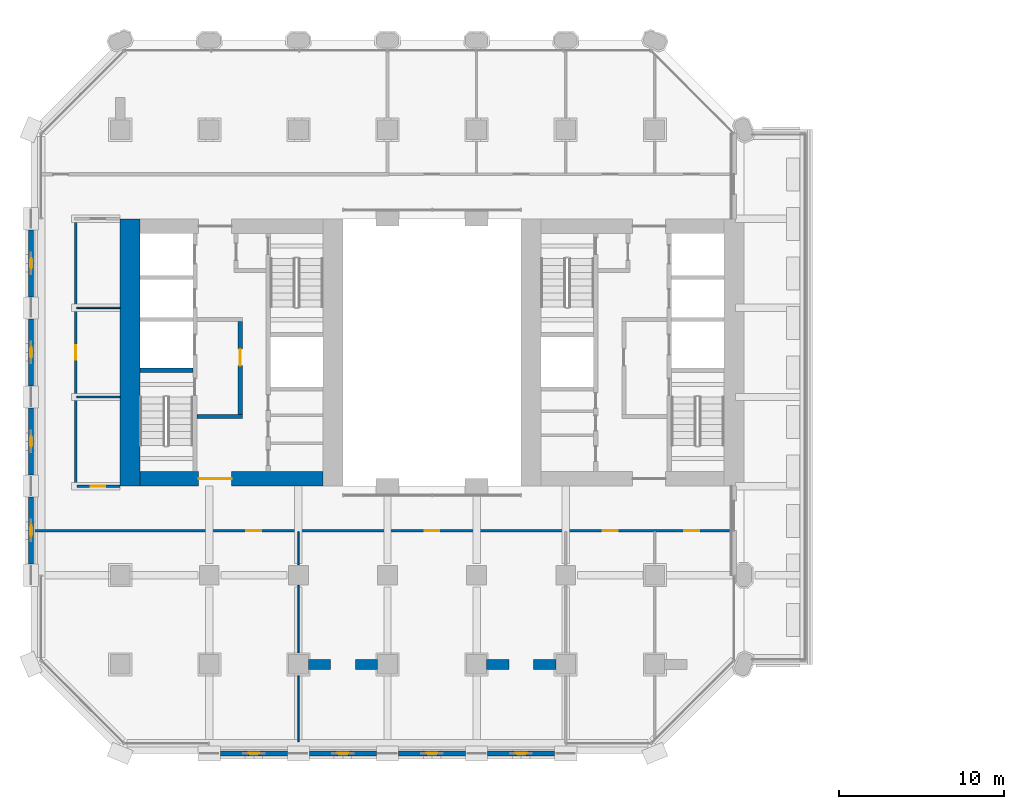
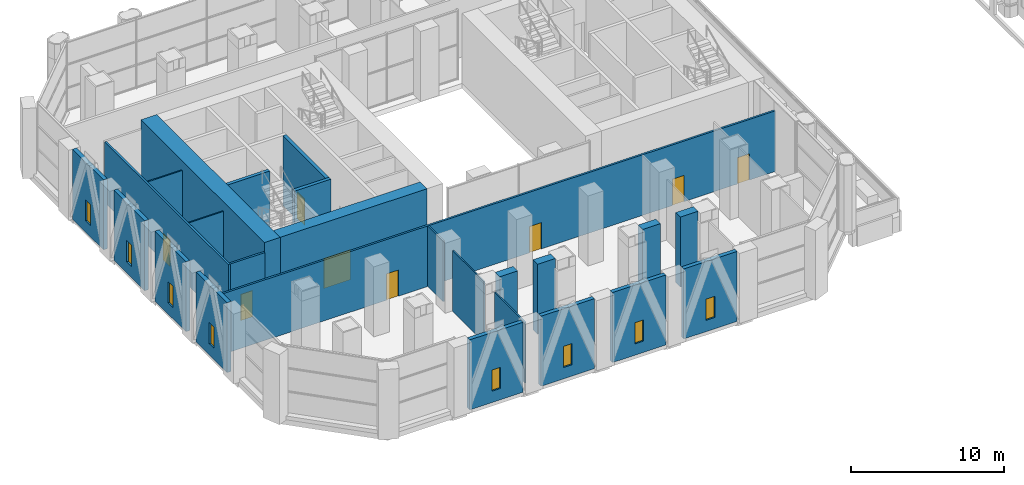
# One storey, part 12 of 34: 25 walls, 8 doors, 8 windows, 16 openings.
"""IFC4 building model written with IfcOpenShell, lengths in metres."""

from ifc_helpers import new_model, si_unit, direction, frame, frame_2d, origin, place, context, subcontext, project, spatial, rectangle, extrude, material, layer, layer_set, type_object, element, fill, save


model = new_model("IFC4")

# Units and contexts
model_context = context("Model", 3, precision=1e-05, world=origin(), true_north=direction((0.0, 1.0)))
body_context = subcontext(model_context, "Body", "Model", "MODEL_VIEW")
ifc_project = project(units=[si_unit("LENGTHUNIT", "METRE"), si_unit("AREAUNIT", "SQUARE_METRE"), si_unit("VOLUMEUNIT", "CUBIC_METRE"), si_unit("PLANEANGLEUNIT", "RADIAN"), si_unit("MASSUNIT", "GRAM", prefix="KILO")], contexts=[model_context])

# Site, building, storey
site_placement = place(None, origin())
site = spatial("IfcSite", under=ifc_project, at=site_placement, CompositionType="ELEMENT")
building_placement = place(site_placement, origin())
building = spatial("IfcBuilding", under=site, at=building_placement, Name="Tabaq Tower and Sports Hall", CompositionType="ELEMENT")
storey_placement = place(building_placement, frame((0.0, 0.0, 8.39990234375)))
storey = spatial("IfcBuildingStorey", under=building, at=storey_placement, Name="L01", CompositionType="ELEMENT", Elevation=8.39990234375)

# Wall
ifc_material_1 = material(Name="Concrete C60/75", Category="concrete")
ifc_layer_1 = layer(ifc_material_1, 1.199951171875)
ifc_layer_set_1 = layer_set([ifc_layer_1], Name="Core wall 1200 Concrete C60/75")
wall_type_1 = type_object("IfcWallType", Name="Core wall 1200 Concrete C60/75", PredefinedType="SOLIDWALL", material=ifc_layer_set_1)
wall_1_placement = place(storey_placement, frame((6.0, 16.199951171875, 0.0), z_axis=(0.0, 0.0, 1.0), x_axis=(0.0, 1.0, 0.0)))
element("IfcWall", 1, at=wall_1_placement, inside=storey, type_object=wall_type_1, Name="Core wall W L01", PredefinedType="SOLIDWALL", context=body_context, shape_type="SweptSolid", body=[
    extrude(rectangle(XDim=16.199951171875, YDim=1.199951171875, at=frame_2d((8.10009765625, 0.0))), origin(), (0.0, 0.0, 1.0), 5.60009765625),
])

# Wall, opening, door
ifc_material_2 = material(Name="Concrete C60/75", Category="concrete")
ifc_layer_2 = layer(ifc_material_2, 0.89990234375)
ifc_layer_set_2 = layer_set([ifc_layer_2], Name="Core wall 900 Concrete C60/75")
wall_type_2 = type_object("IfcWallType", Name="Core wall 900 Concrete C60/75", PredefinedType="SOLIDWALL", material=ifc_layer_set_2)
wall_2_placement = place(storey_placement, frame((17.699951171875, 16.64990234375, 0.0), z_axis=(0.0, 0.0, 1.0), x_axis=(-1.0, 0.0, 0.0)))
wall_2 = element("IfcWall", 2, at=wall_2_placement, inside=storey, type_object=wall_type_2, Name="Core wall W L01", PredefinedType="SOLIDWALL", context=body_context, shape_type="SweptSolid", body=[
    extrude(rectangle(XDim=11.099853515625, YDim=0.89990234375, at=frame_2d((5.5498046875, 0.0))), origin(), (0.0, 0.0, 1.0), 5.60009765625),
])
opening_1_placement = place(wall_2_placement, frame((5.550048828125, 0.0, 0.0)))
opening_1 = element("IfcOpeningElement", 3, at=opening_1_placement, cuts=wall_2, Name="Opening PD-WL01-01", PredefinedType="OPENING", context=body_context, shape_type="SweptSolid", body=[
    extrude(rectangle(XDim=2.0, YDim=2.39990234375, at=frame_2d((1.0, 1.199951171875))), frame((0.0, 0.449951171875, 0.0), z_axis=(0.0, -1.0, 0.0), x_axis=(1.0, 0.0, 0.0)), (0.0, 0.0, 1.0), 0.89990234375),
])
ifc_material_3 = material(Name="Steel fire door", Category="steel")
door_type_1 = type_object("IfcDoorType", Name="Core entrance door 2000", OperationType="DOUBLE_DOOR_SINGLE_SWING", PredefinedType="DOOR", material=ifc_material_3)
door_1_placement = place(opening_1_placement, origin())
door_1 = element("IfcDoor", 4, at=door_1_placement, inside=storey, type_object=door_type_1, Name="Core entrance south W L01", OperationType="DOUBLE_DOOR_SINGLE_SWING", OverallHeight=2.39990234375, OverallWidth=2.0, PredefinedType="DOOR", context=body_context, shape_type="SweptSolid", body=[
    extrude(rectangle(XDim=2.0, YDim=2.39990234375, at=frame_2d((1.0, 1.199951171875))), frame((0.0, 0.02490234375, 0.0), z_axis=(0.0, -1.0, 0.0), x_axis=(1.0, 0.0, 0.0)), (0.0, 0.0, 1.0), 0.050048828125),
])
fill(opening_1, door_1)

# Walls
ifc_material_4 = material(Name="Gypsum board on steel studs", Category="steel")
ifc_layer_3 = layer(ifc_material_4, 0.10009765625)
ifc_layer_set_3 = layer_set([ifc_layer_3], Name="Partition 100 Gypsum board")
wall_type_3 = type_object("IfcWallType", Name="Partition 100 Gypsum board", PredefinedType="PARTITIONING", material=ifc_layer_set_3)
wall_3_placement = place(storey_placement, frame((16.199951171875, 13.425048828125, 0.0), z_axis=(0.0, 0.0, 1.0), x_axis=(0.0, -1.0, 0.0)))
element("IfcWall", 5, at=wall_3_placement, inside=storey, type_object=wall_type_3, Name="Partition wall L01", PredefinedType="PARTITIONING", context=body_context, shape_type="SweptSolid", body=[
    extrude(rectangle(XDim=2.005126953125, YDim=0.10009765625, at=frame_2d((1.00244140625, 0.0))), origin(), (0.0, 0.0, 1.0), 4.85009765625),
])
wall_4_placement = place(storey_placement, frame((16.199951171875, 10.179931640625, 0.0), z_axis=(0.0, 0.0, 1.0), x_axis=(0.0, -1.0, 0.0)))
element("IfcWall", 6, at=wall_4_placement, inside=storey, type_object=wall_type_3, Name="Partition wall L01", PredefinedType="PARTITIONING", context=body_context, shape_type="SweptSolid", body=[
    extrude(rectangle(XDim=4.079345703125, YDim=0.10009765625, at=frame_2d((2.03955078125, 0.0))), origin(), (0.0, 0.0, 1.0), 4.85009765625),
])
wall_5_placement = place(storey_placement, frame((16.199951171875, 4.69921875, 0.0), z_axis=(0.0, 0.0, 1.0), x_axis=(0.0, -1.0, 0.0)))
element("IfcWall", 7, at=wall_5_placement, inside=storey, type_object=wall_type_3, Name="Partition wall L01", PredefinedType="PARTITIONING", context=body_context, shape_type="SweptSolid", body=[
    extrude(rectangle(XDim=3.999267578125, YDim=0.10009765625, at=frame_2d((1.99951171875, 0.0))), origin(), (0.0, 0.0, 1.0), 4.85009765625),
])
for number, where, z_axis, x_axis, name in (
    (8, (5.39990234375, 21.60009765625, 0.0), (0.0, 0.0, 1.0), (-1.0, 0.0, 0.0), "Partition wall L01"),
    (9, (5.39990234375, 27.0, 0.0), (0.0, 0.0, 1.0), (-1.0, 0.0, 0.0), "Partition wall L01"),
):
    element("IfcWall", number, at=place(storey_placement, frame(where, z_axis=z_axis, x_axis=x_axis)), inside=storey, type_object=wall_type_3, Name=name, PredefinedType="PARTITIONING", context=body_context, shape_type="SweptSolid", body=[
        extrude(rectangle(XDim=2.625, YDim=0.10009765625, at=frame_2d((1.3125, 0.0))), origin(), (0.0, 0.0, 1.0), 4.85009765625),
    ])
ifc_material_5 = material(Name="Concrete C60/75", Category="concrete")
ifc_layer_4 = layer(ifc_material_5, 0.60009765625)
ifc_layer_set_4 = layer_set([ifc_layer_4], Name="RC TRANSFER WALL 600 C60/75")
wall_type_4 = type_object("IfcWallType", Name="RC TRANSFER WALL 600 C60/75", PredefinedType="SHEAR", material=ifc_layer_set_4)
wall_6_placement = place(storey_placement, frame((16.800048828125, 5.39990234375, 0.0), z_axis=(0.0, 0.0, 1.0), x_axis=(1.0, 0.0, 0.0)))
element("IfcWall", 10, at=wall_6_placement, inside=storey, type_object=wall_type_4, Name="Transfer Wall L01 South 3", PredefinedType="SHEAR", context=body_context, shape_type="SweptSolid", body=[
    extrude(rectangle(XDim=1.349853515625, YDim=0.60009765625, at=frame_2d((0.6748046875, 0.0))), origin(), (0.0, 0.0, 1.0), 5.60009765625),
])
wall_7_placement = place(storey_placement, frame((19.64990234375, 5.39990234375, 0.0), z_axis=(0.0, 0.0, 1.0), x_axis=(1.0, 0.0, 0.0)))
element("IfcWall", 11, at=wall_7_placement, inside=storey, type_object=wall_type_4, Name="Transfer Wall L01 South 4", PredefinedType="SHEAR", context=body_context, shape_type="SweptSolid", body=[
    extrude(rectangle(XDim=1.35009765625, YDim=0.60009765625, at=frame_2d((0.675048828125, 0.0))), origin(), (0.0, 0.0, 1.0), 5.60009765625),
])
wall_8_placement = place(storey_placement, frame((27.60009765625, 5.39990234375, 0.0), z_axis=(0.0, 0.0, 1.0), x_axis=(1.0, 0.0, 0.0)))
element("IfcWall", 12, at=wall_8_placement, inside=storey, type_object=wall_type_4, Name="Transfer Wall L01 South 5", PredefinedType="SHEAR", context=body_context, shape_type="SweptSolid", body=[
    extrude(rectangle(XDim=1.349853515625, YDim=0.60009765625, at=frame_2d((0.6748046875, 0.0))), origin(), (0.0, 0.0, 1.0), 5.60009765625),
])
wall_9_placement = place(storey_placement, frame((30.449951171875, 5.39990234375, 0.0), z_axis=(0.0, 0.0, 1.0), x_axis=(1.0, 0.0, 0.0)))
element("IfcWall", 13, at=wall_9_placement, inside=storey, type_object=wall_type_4, Name="Transfer Wall L01 South 6", PredefinedType="SHEAR", context=body_context, shape_type="SweptSolid", body=[
    extrude(rectangle(XDim=1.35009765625, YDim=0.60009765625, at=frame_2d((0.675048828125, 0.0))), origin(), (0.0, 0.0, 1.0), 5.60009765625),
])

# Wall, opening, door
ifc_material_6 = material(Name="Blockwork", Category="masonry")
ifc_layer_5 = layer(ifc_material_6, 0.14990234375)
ifc_layer_set_5 = layer_set([ifc_layer_5], Name="Separating wall 150 Blockwork")
wall_type_5 = type_object("IfcWallType", Name="Separating wall 150 Blockwork", PredefinedType="PARTITIONING", material=ifc_layer_set_5)
wall_10_placement = place(storey_placement, frame((2.699951171875, 32.324951171875, 0.0), z_axis=(0.0, 0.0, 1.0), x_axis=(0.0, -1.0, 0.0)))
wall_10 = element("IfcWall", 14, at=wall_10_placement, inside=storey, type_object=wall_type_5, Name="Separating wall L01", PredefinedType="PARTITIONING", context=body_context, shape_type="SweptSolid", body=[
    extrude(rectangle(XDim=16.199951171875, YDim=0.14990234375, at=frame_2d((8.10009765625, 0.0))), origin(), (0.0, 0.0, 1.0), 4.85009765625),
])
opening_2_placement = place(wall_10_placement, frame((7.574951171875, 0.0, 0.0)))
opening_2 = element("IfcOpeningElement", 15, at=opening_2_placement, cuts=wall_10, Name="Opening L01-011", PredefinedType="OPENING", context=body_context, shape_type="SweptSolid", body=[
    extrude(rectangle(XDim=0.89990234375, YDim=2.10009765625, at=frame_2d((0.449951171875, 1.050048828125))), frame((0.0, 0.074951171875, 0.0), z_axis=(0.0, -1.0, 0.0), x_axis=(1.0, 0.0, 0.0)), (0.0, 0.0, 1.0), 0.14990234375),
])
ifc_material_7 = material(Name="Timber leaf in steel frame", Category="steel")
door_type_2 = type_object("IfcDoorType", Name="Internal door 900 right hand", OperationType="SINGLE_SWING_RIGHT", PredefinedType="DOOR", material=ifc_material_7)
door_2_placement = place(opening_2_placement, origin())
door_2 = element("IfcDoor", 16, at=door_2_placement, inside=storey, type_object=door_type_2, Name="Internal door L01-011", OperationType="SINGLE_SWING_RIGHT", OverallHeight=2.10009765625, OverallWidth=0.89990234375, PredefinedType="DOOR", context=body_context, shape_type="SweptSolid", body=[
    extrude(rectangle(XDim=0.89990234375, YDim=2.10009765625, at=frame_2d((0.449951171875, 1.050048828125))), frame((0.0, 0.02490234375, 0.0), z_axis=(0.0, -1.0, 0.0), x_axis=(1.0, 0.0, 0.0)), (0.0, 0.0, 1.0), 0.050048828125),
])
fill(opening_2, door_2)

wall_11_placement = place(storey_placement, frame((2.77490234375, 16.199951171875, 0.0), z_axis=(0.0, 0.0, 1.0), x_axis=(1.0, 0.0, 0.0)))
wall_11 = element("IfcWall", 17, at=wall_11_placement, inside=storey, type_object=wall_type_5, Name="Separating wall L01", PredefinedType="PARTITIONING", context=body_context, shape_type="SweptSolid", body=[
    extrude(rectangle(XDim=2.625, YDim=0.14990234375, at=frame_2d((1.3125, 0.0))), origin(), (0.0, 0.0, 1.0), 4.85009765625),
])
opening_3_placement = place(wall_11_placement, frame((0.824951171875, 0.0, 0.0)))
opening_3 = element("IfcOpeningElement", 18, at=opening_3_placement, cuts=wall_11, Name="Opening L01-010", PredefinedType="OPENING", context=body_context, shape_type="SweptSolid", body=[
    extrude(rectangle(XDim=0.89990234375, YDim=2.10009765625, at=frame_2d((0.449951171875, 1.050048828125))), frame((0.0, 0.074951171875, 0.0), z_axis=(0.0, -1.0, 0.0), x_axis=(1.0, 0.0, 0.0)), (0.0, 0.0, 1.0), 0.14990234375),
])
door_3_placement = place(opening_3_placement, origin())
door_3 = element("IfcDoor", 19, at=door_3_placement, inside=storey, type_object=door_type_2, Name="Internal door L01-010", OperationType="SINGLE_SWING_RIGHT", OverallHeight=2.10009765625, OverallWidth=0.89990234375, PredefinedType="DOOR", context=body_context, shape_type="SweptSolid", body=[
    extrude(rectangle(XDim=0.89990234375, YDim=2.10009765625, at=frame_2d((0.449951171875, 1.050048828125))), frame((0.0, 0.02490234375, 0.0), z_axis=(0.0, -1.0, 0.0), x_axis=(1.0, 0.0, 0.0)), (0.0, 0.0, 1.0), 0.050048828125),
])
fill(opening_3, door_3)

# Wall, openings, doors
wall_12_placement = place(storey_placement, frame((42.448974609375, 13.5, 0.0), z_axis=(0.0, 0.0, 1.0), x_axis=(-1.0, 0.0, 0.0)))
wall_12 = element("IfcWall", 20, at=wall_12_placement, inside=storey, type_object=wall_type_5, Name="Separating wall L01", PredefinedType="PARTITIONING", context=body_context, shape_type="SweptSolid", body=[
    extrude(rectangle(XDim=42.299072265625, YDim=0.14990234375, at=frame_2d((21.1494140625, 0.0))), origin(), (0.0, 0.0, 1.0), 4.85009765625),
])
opening_4_placement = place(wall_12_placement, frame((28.4990234375, 0.0, 0.0)))
opening_4 = element("IfcOpeningElement", 21, at=opening_4_placement, cuts=wall_12, Name="Opening L01-006", PredefinedType="OPENING", context=body_context, shape_type="SweptSolid", body=[
    extrude(rectangle(XDim=0.89990234375, YDim=2.10009765625, at=frame_2d((0.449951171875, 1.050048828125))), frame((0.0, 0.074951171875, 0.0), z_axis=(0.0, -1.0, 0.0), x_axis=(1.0, 0.0, 0.0)), (0.0, 0.0, 1.0), 0.14990234375),
])
opening_5_placement = place(wall_12_placement, frame((17.698974609375, 0.0, 0.0)))
opening_5 = element("IfcOpeningElement", 22, at=opening_5_placement, cuts=wall_12, Name="Opening L01-007", PredefinedType="OPENING", context=body_context, shape_type="SweptSolid", body=[
    extrude(rectangle(XDim=0.89990234375, YDim=2.10009765625, at=frame_2d((0.449951171875, 1.050048828125))), frame((0.0, 0.074951171875, 0.0), z_axis=(0.0, -1.0, 0.0), x_axis=(1.0, 0.0, 0.0)), (0.0, 0.0, 1.0), 0.14990234375),
])
opening_6_placement = place(wall_12_placement, frame((6.89892578125, 0.0, 0.0)))
opening_6 = element("IfcOpeningElement", 23, at=opening_6_placement, cuts=wall_12, Name="Opening L01-008", PredefinedType="OPENING", context=body_context, shape_type="SweptSolid", body=[
    extrude(rectangle(XDim=0.89990234375, YDim=2.10009765625, at=frame_2d((0.449951171875, 1.050048828125))), frame((0.0, 0.074951171875, 0.0), z_axis=(0.0, -1.0, 0.0), x_axis=(1.0, 0.0, 0.0)), (0.0, 0.0, 1.0), 0.14990234375),
])
opening_7_placement = place(wall_12_placement, frame((1.948974609375, 0.0, 0.0)))
opening_7 = element("IfcOpeningElement", 24, at=opening_7_placement, cuts=wall_12, Name="Opening L01-009", PredefinedType="OPENING", context=body_context, shape_type="SweptSolid", body=[
    extrude(rectangle(XDim=0.89990234375, YDim=2.10009765625, at=frame_2d((0.449951171875, 1.050048828125))), frame((0.0, 0.074951171875, 0.0), z_axis=(0.0, -1.0, 0.0), x_axis=(1.0, 0.0, 0.0)), (0.0, 0.0, 1.0), 0.14990234375),
])
ifc_material_8 = material(Name="Timber leaf in steel frame", Category="steel")
door_type_3 = type_object("IfcDoorType", Name="Internal door 900 left hand", OperationType="SINGLE_SWING_LEFT", PredefinedType="DOOR", material=ifc_material_8)
door_4_placement = place(opening_7_placement, origin())
door_4 = element("IfcDoor", 25, at=door_4_placement, inside=storey, type_object=door_type_3, Name="Internal door L01-009", OperationType="SINGLE_SWING_LEFT", OverallHeight=2.10009765625, OverallWidth=0.89990234375, PredefinedType="DOOR", context=body_context, shape_type="SweptSolid", body=[
    extrude(rectangle(XDim=0.89990234375, YDim=2.10009765625, at=frame_2d((0.449951171875, 1.050048828125))), frame((0.0, 0.02490234375, 0.0), z_axis=(0.0, -1.0, 0.0), x_axis=(1.0, 0.0, 0.0)), (0.0, 0.0, 1.0), 0.050048828125),
])
fill(opening_7, door_4)
door_5_placement = place(opening_4_placement, origin())
door_5 = element("IfcDoor", 26, at=door_5_placement, inside=storey, type_object=door_type_2, Name="Internal door L01-006", OperationType="SINGLE_SWING_RIGHT", OverallHeight=2.10009765625, OverallWidth=0.89990234375, PredefinedType="DOOR", context=body_context, shape_type="SweptSolid", body=[
    extrude(rectangle(XDim=0.89990234375, YDim=2.10009765625, at=frame_2d((0.449951171875, 1.050048828125))), frame((0.0, 0.02490234375, 0.0), z_axis=(0.0, -1.0, 0.0), x_axis=(1.0, 0.0, 0.0)), (0.0, 0.0, 1.0), 0.050048828125),
])
fill(opening_4, door_5)
door_6_placement = place(opening_5_placement, origin())
door_6 = element("IfcDoor", 27, at=door_6_placement, inside=storey, type_object=door_type_2, Name="Internal door L01-007", OperationType="SINGLE_SWING_RIGHT", OverallHeight=2.10009765625, OverallWidth=0.89990234375, PredefinedType="DOOR", context=body_context, shape_type="SweptSolid", body=[
    extrude(rectangle(XDim=0.89990234375, YDim=2.10009765625, at=frame_2d((0.449951171875, 1.050048828125))), frame((0.0, 0.02490234375, 0.0), z_axis=(0.0, -1.0, 0.0), x_axis=(1.0, 0.0, 0.0)), (0.0, 0.0, 1.0), 0.050048828125),
])
fill(opening_5, door_6)
door_7_placement = place(opening_6_placement, origin())
door_7 = element("IfcDoor", 28, at=door_7_placement, inside=storey, type_object=door_type_2, Name="Internal door L01-008", OperationType="SINGLE_SWING_RIGHT", OverallHeight=2.10009765625, OverallWidth=0.89990234375, PredefinedType="DOOR", context=body_context, shape_type="SweptSolid", body=[
    extrude(rectangle(XDim=0.89990234375, YDim=2.10009765625, at=frame_2d((0.449951171875, 1.050048828125))), frame((0.0, 0.02490234375, 0.0), z_axis=(0.0, -1.0, 0.0), x_axis=(1.0, 0.0, 0.0)), (0.0, 0.0, 1.0), 0.050048828125),
])
fill(opening_6, door_7)

# Walls
ifc_material_9 = material(Name="Concrete C40/50", Category="concrete")
ifc_layer_6 = layer(ifc_material_9, 0.25)
ifc_layer_set_6 = layer_set([ifc_layer_6], Name="Shaft and stair wall 250 Concrete C40/50")
wall_type_6 = type_object("IfcWallType", Name="Shaft and stair wall 250 Concrete C40/50", PredefinedType="SOLIDWALL", material=ifc_layer_set_6)
wall_13_placement = place(storey_placement, frame((6.60009765625, 23.22509765625, 0.0), z_axis=(0.0, 0.0, 1.0), x_axis=(1.0, 0.0, 0.0)))
element("IfcWall", 29, at=wall_13_placement, inside=storey, type_object=wall_type_6, Name="Stair enclosure wall W L01", PredefinedType="SOLIDWALL", context=body_context, shape_type="SweptSolid", body=[
    extrude(rectangle(XDim=3.199951171875, YDim=0.25, at=frame_2d((1.60009765625, 0.0))), origin(), (0.0, 0.0, 1.0), 5.60009765625),
])
wall_14_placement = place(storey_placement, frame((10.050048828125, 20.425048828125, 0.0), z_axis=(0.0, 0.0, 1.0), x_axis=(1.0, 0.0, 0.0)))
element("IfcWall", 30, at=wall_14_placement, inside=storey, type_object=wall_type_6, Name="Fire-fighting lobby wall W L01", PredefinedType="SOLIDWALL", context=body_context, shape_type="SweptSolid", body=[
    extrude(rectangle(XDim=2.75, YDim=0.25, at=frame_2d((1.375, 0.0))), origin(), (0.0, 0.0, 1.0), 5.60009765625),
])

# Wall, opening, door
wall_15_placement = place(storey_placement, frame((12.675048828125, 20.550048828125, 0.0), z_axis=(0.0, 0.0, 1.0), x_axis=(0.0, 1.0, 0.0)))
wall_15 = element("IfcWall", 31, at=wall_15_placement, inside=storey, type_object=wall_type_6, Name="Fire-fighting lobby wall W L01", PredefinedType="SOLIDWALL", context=body_context, shape_type="SweptSolid", body=[
    extrude(rectangle(XDim=5.625, YDim=0.25, at=frame_2d((2.8125, 0.0))), origin(), (0.0, 0.0, 1.0), 5.60009765625),
])
opening_8_placement = place(wall_15_placement, frame((2.949951171875, 0.0, 0.0)))
opening_8 = element("IfcOpeningElement", 32, at=opening_8_placement, cuts=wall_15, Name="Opening FD-WL01-04", PredefinedType="OPENING", context=body_context, shape_type="SweptSolid", body=[
    extrude(rectangle(XDim=1.0, YDim=2.10009765625, at=frame_2d((0.5, 1.050048828125))), frame((0.0, 0.125, 0.0), z_axis=(0.0, -1.0, 0.0), x_axis=(1.0, 0.0, 0.0)), (0.0, 0.0, 1.0), 0.25),
])
ifc_material_10 = material(Name="Steel fire door", Category="steel")
door_type_4 = type_object("IfcDoorType", Name="Fire-fighting lobby door 1000", OperationType="SINGLE_SWING_LEFT", PredefinedType="DOOR", material=ifc_material_10)
door_8_placement = place(opening_8_placement, origin())
door_8 = element("IfcDoor", 33, at=door_8_placement, inside=storey, type_object=door_type_4, Name="Fire-fighting lobby door W L01", OperationType="SINGLE_SWING_LEFT", OverallHeight=2.10009765625, OverallWidth=1.0, PredefinedType="DOOR", context=body_context, shape_type="SweptSolid", body=[
    extrude(rectangle(XDim=1.0, YDim=2.10009765625, at=frame_2d((0.5, 1.050048828125))), frame((0.0, 0.02490234375, 0.0), z_axis=(0.0, -1.0, 0.0), x_axis=(1.0, 0.0, 0.0)), (0.0, 0.0, 1.0), 0.050048828125),
])
fill(opening_8, door_8)

# Wall, opening, window
ifc_material_11 = material(Name="White precast concrete C60/75", Category="concrete")
ifc_layer_7 = layer(ifc_material_11, 0.300048828125)
ifc_layer_set_7 = layer_set([ifc_layer_7], Name="White precast concrete C60/75 external wall 300")
wall_type_7 = type_object("IfcWallType", Name="White precast concrete C60/75 external wall 300", PredefinedType="SOLIDWALL", material=ifc_layer_set_7)
wall_16_placement = place(storey_placement, frame((11.47509765625, 0.0, 0.0), z_axis=(0.0, 0.0, 1.0), x_axis=(1.0, 0.0, 0.0)))
wall_16 = element("IfcWall", 34, at=wall_16_placement, inside=storey, type_object=wall_type_7, Name="External Wall L01 S", PredefinedType="SOLIDWALL", context=body_context, shape_type="SweptSolid", body=[
    extrude(rectangle(XDim=4.0498046875, YDim=0.300048828125, at=frame_2d((2.02490234375, 0.0))), origin(), (0.0, 0.0, 1.0), 5.60009765625),
])
opening_9_placement = place(wall_16_placement, frame((1.699951171875, 0.0, 0.89990234375)))
opening_9 = element("IfcOpeningElement", 35, at=opening_9_placement, cuts=wall_16, Name="Opening W1C", PredefinedType="OPENING", context=body_context, shape_type="SweptSolid", body=[
    extrude(rectangle(XDim=0.64990234375, YDim=1.699951171875, at=frame_2d((0.324951171875, 0.85009765625))), frame((0.0, 0.16015625, 0.0), z_axis=(0.0, -1.0, 0.0), x_axis=(1.0, 0.0, 0.0)), (0.0, 0.0, 1.0), 0.320068359375),
])
ifc_material_12 = material(Name="Aluminium framed clear glazing", Category="aluminium")
window_type = type_object("IfcWindowType", Name="Window W1C", PartitioningType="SINGLE_PANEL", PredefinedType="WINDOW", material=ifc_material_12)
window_1_placement = place(opening_9_placement, origin())
window_1 = element("IfcWindow", 36, at=window_1_placement, inside=storey, type_object=window_type, Name="Window W1C L01", OverallHeight=1.699951171875, OverallWidth=0.64990234375, PartitioningType="SINGLE_PANEL", PredefinedType="WINDOW", context=body_context, shape_type="SweptSolid", body=[
    extrude(rectangle(XDim=0.64990234375, YDim=1.699951171875, at=frame_2d((0.324951171875, 0.85009765625))), frame((0.0, 0.030029296875, 0.0), z_axis=(0.0, -1.0, 0.0), x_axis=(1.0, 0.0, 0.0)), (0.0, 0.0, 1.0), 0.06005859375),
])
fill(opening_9, window_1)

wall_17_placement = place(storey_placement, frame((16.875, 0.0, 0.0), z_axis=(0.0, 0.0, 1.0), x_axis=(1.0, 0.0, 0.0)))
wall_17 = element("IfcWall", 37, at=wall_17_placement, inside=storey, type_object=wall_type_7, Name="External Wall L01 S", PredefinedType="SOLIDWALL", context=body_context, shape_type="SweptSolid", body=[
    extrude(rectangle(XDim=4.050048828125, YDim=0.300048828125, at=frame_2d((2.02490234375, 0.0))), origin(), (0.0, 0.0, 1.0), 5.60009765625),
])
opening_10_placement = place(wall_17_placement, frame((1.699951171875, 0.0, 0.89990234375)))
opening_10 = element("IfcOpeningElement", 38, at=opening_10_placement, cuts=wall_17, Name="Opening W1C", PredefinedType="OPENING", context=body_context, shape_type="SweptSolid", body=[
    extrude(rectangle(XDim=0.64990234375, YDim=1.699951171875, at=frame_2d((0.324951171875, 0.85009765625))), frame((0.0, 0.16015625, 0.0), z_axis=(0.0, -1.0, 0.0), x_axis=(1.0, 0.0, 0.0)), (0.0, 0.0, 1.0), 0.320068359375),
])
window_2_placement = place(opening_10_placement, origin())
window_2 = element("IfcWindow", 39, at=window_2_placement, inside=storey, type_object=window_type, Name="Window W1C L01", OverallHeight=1.699951171875, OverallWidth=0.64990234375, PartitioningType="SINGLE_PANEL", PredefinedType="WINDOW", context=body_context, shape_type="SweptSolid", body=[
    extrude(rectangle(XDim=0.64990234375, YDim=1.699951171875, at=frame_2d((0.324951171875, 0.85009765625))), frame((0.0, 0.030029296875, 0.0), z_axis=(0.0, -1.0, 0.0), x_axis=(1.0, 0.0, 0.0)), (0.0, 0.0, 1.0), 0.06005859375),
])
fill(opening_10, window_2)

wall_18_placement = place(storey_placement, frame((22.27490234375, 0.0, 0.0), z_axis=(0.0, 0.0, 1.0), x_axis=(1.0, 0.0, 0.0)))
wall_18 = element("IfcWall", 40, at=wall_18_placement, inside=storey, type_object=wall_type_7, Name="External Wall L01 S", PredefinedType="SOLIDWALL", context=body_context, shape_type="SweptSolid", body=[
    extrude(rectangle(XDim=4.050048828125, YDim=0.300048828125, at=frame_2d((2.02490234375, 0.0))), origin(), (0.0, 0.0, 1.0), 5.60009765625),
])
opening_11_placement = place(wall_18_placement, frame((1.699951171875, 0.0, 0.89990234375)))
opening_11 = element("IfcOpeningElement", 41, at=opening_11_placement, cuts=wall_18, Name="Opening W1C", PredefinedType="OPENING", context=body_context, shape_type="SweptSolid", body=[
    extrude(rectangle(XDim=0.64990234375, YDim=1.699951171875, at=frame_2d((0.324951171875, 0.85009765625))), frame((0.0, 0.16015625, 0.0), z_axis=(0.0, -1.0, 0.0), x_axis=(1.0, 0.0, 0.0)), (0.0, 0.0, 1.0), 0.320068359375),
])
window_3_placement = place(opening_11_placement, origin())
window_3 = element("IfcWindow", 42, at=window_3_placement, inside=storey, type_object=window_type, Name="Window W1C L01", OverallHeight=1.699951171875, OverallWidth=0.64990234375, PartitioningType="SINGLE_PANEL", PredefinedType="WINDOW", context=body_context, shape_type="SweptSolid", body=[
    extrude(rectangle(XDim=0.64990234375, YDim=1.699951171875, at=frame_2d((0.324951171875, 0.85009765625))), frame((0.0, 0.030029296875, 0.0), z_axis=(0.0, -1.0, 0.0), x_axis=(1.0, 0.0, 0.0)), (0.0, 0.0, 1.0), 0.06005859375),
])
fill(opening_11, window_3)

wall_19_placement = place(storey_placement, frame((27.675048828125, 0.0, 0.0), z_axis=(0.0, 0.0, 1.0), x_axis=(1.0, 0.0, 0.0)))
wall_19 = element("IfcWall", 43, at=wall_19_placement, inside=storey, type_object=wall_type_7, Name="External Wall L01 S", PredefinedType="SOLIDWALL", context=body_context, shape_type="SweptSolid", body=[
    extrude(rectangle(XDim=4.050048828125, YDim=0.300048828125, at=frame_2d((2.02490234375, 0.0))), origin(), (0.0, 0.0, 1.0), 5.60009765625),
])
opening_12_placement = place(wall_19_placement, frame((1.699951171875, 0.0, 0.89990234375)))
opening_12 = element("IfcOpeningElement", 44, at=opening_12_placement, cuts=wall_19, Name="Opening W1C", PredefinedType="OPENING", context=body_context, shape_type="SweptSolid", body=[
    extrude(rectangle(XDim=0.64990234375, YDim=1.699951171875, at=frame_2d((0.324951171875, 0.85009765625))), frame((0.0, 0.16015625, 0.0), z_axis=(0.0, -1.0, 0.0), x_axis=(1.0, 0.0, 0.0)), (0.0, 0.0, 1.0), 0.320068359375),
])
window_4_placement = place(opening_12_placement, origin())
window_4 = element("IfcWindow", 45, at=window_4_placement, inside=storey, type_object=window_type, Name="Window W1C L01", OverallHeight=1.699951171875, OverallWidth=0.64990234375, PartitioningType="SINGLE_PANEL", PredefinedType="WINDOW", context=body_context, shape_type="SweptSolid", body=[
    extrude(rectangle(XDim=0.64990234375, YDim=1.699951171875, at=frame_2d((0.324951171875, 0.85009765625))), frame((0.0, 0.030029296875, 0.0), z_axis=(0.0, -1.0, 0.0), x_axis=(1.0, 0.0, 0.0)), (0.0, 0.0, 1.0), 0.06005859375),
])
fill(opening_12, window_4)

wall_20_placement = place(storey_placement, frame((0.0, 31.72509765625, 0.0), z_axis=(0.0, 0.0, 1.0), x_axis=(0.0, -1.0, 0.0)))
wall_20 = element("IfcWall", 46, at=wall_20_placement, inside=storey, type_object=wall_type_7, Name="External Wall L01 W", PredefinedType="SOLIDWALL", context=body_context, shape_type="SweptSolid", body=[
    extrude(rectangle(XDim=4.050048828125, YDim=0.300048828125, at=frame_2d((2.02490234375, 0.0))), origin(), (0.0, 0.0, 1.0), 5.60009765625),
])
opening_13_placement = place(wall_20_placement, frame((1.699951171875, 0.0, 0.89990234375)))
opening_13 = element("IfcOpeningElement", 47, at=opening_13_placement, cuts=wall_20, Name="Opening W1C", PredefinedType="OPENING", context=body_context, shape_type="SweptSolid", body=[
    extrude(rectangle(XDim=0.64990234375, YDim=1.699951171875, at=frame_2d((0.324951171875, 0.85009765625))), frame((0.0, 0.16015625, 0.0), z_axis=(0.0, -1.0, 0.0), x_axis=(1.0, 0.0, 0.0)), (0.0, 0.0, 1.0), 0.320068359375),
])
window_5_placement = place(opening_13_placement, origin())
window_5 = element("IfcWindow", 48, at=window_5_placement, inside=storey, type_object=window_type, Name="Window W1C L01", OverallHeight=1.699951171875, OverallWidth=0.64990234375, PartitioningType="SINGLE_PANEL", PredefinedType="WINDOW", context=body_context, shape_type="SweptSolid", body=[
    extrude(rectangle(XDim=0.64990234375, YDim=1.699951171875, at=frame_2d((0.324951171875, 0.85009765625))), frame((0.0, 0.030029296875, 0.0), z_axis=(0.0, -1.0, 0.0), x_axis=(1.0, 0.0, 0.0)), (0.0, 0.0, 1.0), 0.06005859375),
])
fill(opening_13, window_5)

wall_21_placement = place(storey_placement, frame((0.0, 26.324951171875, 0.0), z_axis=(0.0, 0.0, 1.0), x_axis=(0.0, -1.0, 0.0)))
wall_21 = element("IfcWall", 49, at=wall_21_placement, inside=storey, type_object=wall_type_7, Name="External Wall L01 W", PredefinedType="SOLIDWALL", context=body_context, shape_type="SweptSolid", body=[
    extrude(rectangle(XDim=4.050048828125, YDim=0.300048828125, at=frame_2d((2.02490234375, 0.0))), origin(), (0.0, 0.0, 1.0), 5.60009765625),
])
opening_14_placement = place(wall_21_placement, frame((1.699951171875, 0.0, 0.89990234375)))
opening_14 = element("IfcOpeningElement", 50, at=opening_14_placement, cuts=wall_21, Name="Opening W1C", PredefinedType="OPENING", context=body_context, shape_type="SweptSolid", body=[
    extrude(rectangle(XDim=0.64990234375, YDim=1.699951171875, at=frame_2d((0.324951171875, 0.85009765625))), frame((0.0, 0.16015625, 0.0), z_axis=(0.0, -1.0, 0.0), x_axis=(1.0, 0.0, 0.0)), (0.0, 0.0, 1.0), 0.320068359375),
])
window_6_placement = place(opening_14_placement, origin())
window_6 = element("IfcWindow", 51, at=window_6_placement, inside=storey, type_object=window_type, Name="Window W1C L01", OverallHeight=1.699951171875, OverallWidth=0.64990234375, PartitioningType="SINGLE_PANEL", PredefinedType="WINDOW", context=body_context, shape_type="SweptSolid", body=[
    extrude(rectangle(XDim=0.64990234375, YDim=1.699951171875, at=frame_2d((0.324951171875, 0.85009765625))), frame((0.0, 0.030029296875, 0.0), z_axis=(0.0, -1.0, 0.0), x_axis=(1.0, 0.0, 0.0)), (0.0, 0.0, 1.0), 0.06005859375),
])
fill(opening_14, window_6)

wall_22_placement = place(storey_placement, frame((0.0, 20.925048828125, 0.0), z_axis=(0.0, 0.0, 1.0), x_axis=(0.0, -1.0, 0.0)))
wall_22 = element("IfcWall", 52, at=wall_22_placement, inside=storey, type_object=wall_type_7, Name="External Wall L01 W", PredefinedType="SOLIDWALL", context=body_context, shape_type="SweptSolid", body=[
    extrude(rectangle(XDim=4.050048828125, YDim=0.300048828125, at=frame_2d((2.02490234375, 0.0))), origin(), (0.0, 0.0, 1.0), 5.60009765625),
])
opening_15_placement = place(wall_22_placement, frame((1.699951171875, 0.0, 0.89990234375)))
opening_15 = element("IfcOpeningElement", 53, at=opening_15_placement, cuts=wall_22, Name="Opening W1C", PredefinedType="OPENING", context=body_context, shape_type="SweptSolid", body=[
    extrude(rectangle(XDim=0.64990234375, YDim=1.699951171875, at=frame_2d((0.324951171875, 0.85009765625))), frame((0.0, 0.16015625, 0.0), z_axis=(0.0, -1.0, 0.0), x_axis=(1.0, 0.0, 0.0)), (0.0, 0.0, 1.0), 0.320068359375),
])
window_7_placement = place(opening_15_placement, origin())
window_7 = element("IfcWindow", 54, at=window_7_placement, inside=storey, type_object=window_type, Name="Window W1C L01", OverallHeight=1.699951171875, OverallWidth=0.64990234375, PartitioningType="SINGLE_PANEL", PredefinedType="WINDOW", context=body_context, shape_type="SweptSolid", body=[
    extrude(rectangle(XDim=0.64990234375, YDim=1.699951171875, at=frame_2d((0.324951171875, 0.85009765625))), frame((0.0, 0.030029296875, 0.0), z_axis=(0.0, -1.0, 0.0), x_axis=(1.0, 0.0, 0.0)), (0.0, 0.0, 1.0), 0.06005859375),
])
fill(opening_15, window_7)

wall_23_placement = place(storey_placement, frame((0.0, 15.52490234375, 0.0), z_axis=(0.0, 0.0, 1.0), x_axis=(0.0, -1.0, 0.0)))
wall_23 = element("IfcWall", 55, at=wall_23_placement, inside=storey, type_object=wall_type_7, Name="External Wall L01 W", PredefinedType="SOLIDWALL", context=body_context, shape_type="SweptSolid", body=[
    extrude(rectangle(XDim=4.0498046875, YDim=0.300048828125, at=frame_2d((2.02490234375, 0.0))), origin(), (0.0, 0.0, 1.0), 5.60009765625),
])
opening_16_placement = place(wall_23_placement, frame((1.699951171875, 0.0, 0.89990234375)))
opening_16 = element("IfcOpeningElement", 56, at=opening_16_placement, cuts=wall_23, Name="Opening W1C", PredefinedType="OPENING", context=body_context, shape_type="SweptSolid", body=[
    extrude(rectangle(XDim=0.64990234375, YDim=1.699951171875, at=frame_2d((0.324951171875, 0.85009765625))), frame((0.0, 0.16015625, 0.0), z_axis=(0.0, -1.0, 0.0), x_axis=(1.0, 0.0, 0.0)), (0.0, 0.0, 1.0), 0.320068359375),
])
window_8_placement = place(opening_16_placement, origin())
window_8 = element("IfcWindow", 57, at=window_8_placement, inside=storey, type_object=window_type, Name="Window W1C L01", OverallHeight=1.699951171875, OverallWidth=0.64990234375, PartitioningType="SINGLE_PANEL", PredefinedType="WINDOW", context=body_context, shape_type="SweptSolid", body=[
    extrude(rectangle(XDim=0.64990234375, YDim=1.699951171875, at=frame_2d((0.324951171875, 0.85009765625))), frame((0.0, 0.030029296875, 0.0), z_axis=(0.0, -1.0, 0.0), x_axis=(1.0, 0.0, 0.0)), (0.0, 0.0, 1.0), 0.06005859375),
])
fill(opening_16, window_8)

save(model, "model.ifc")
